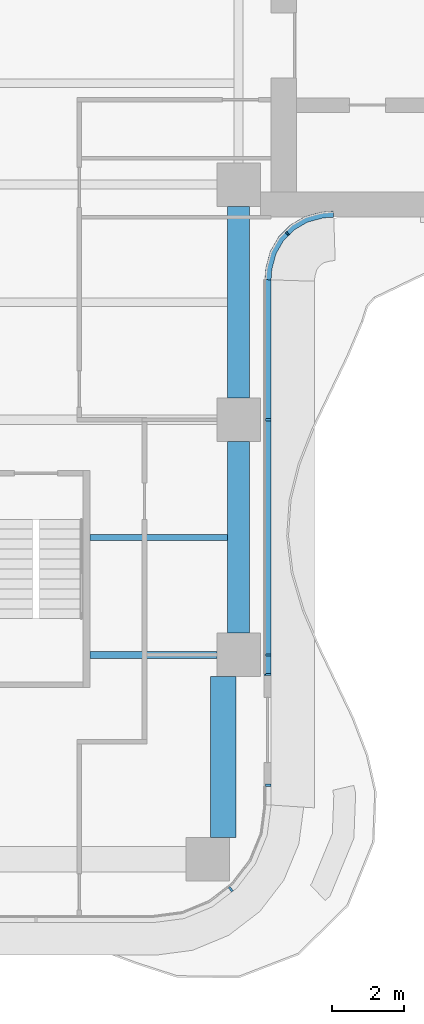
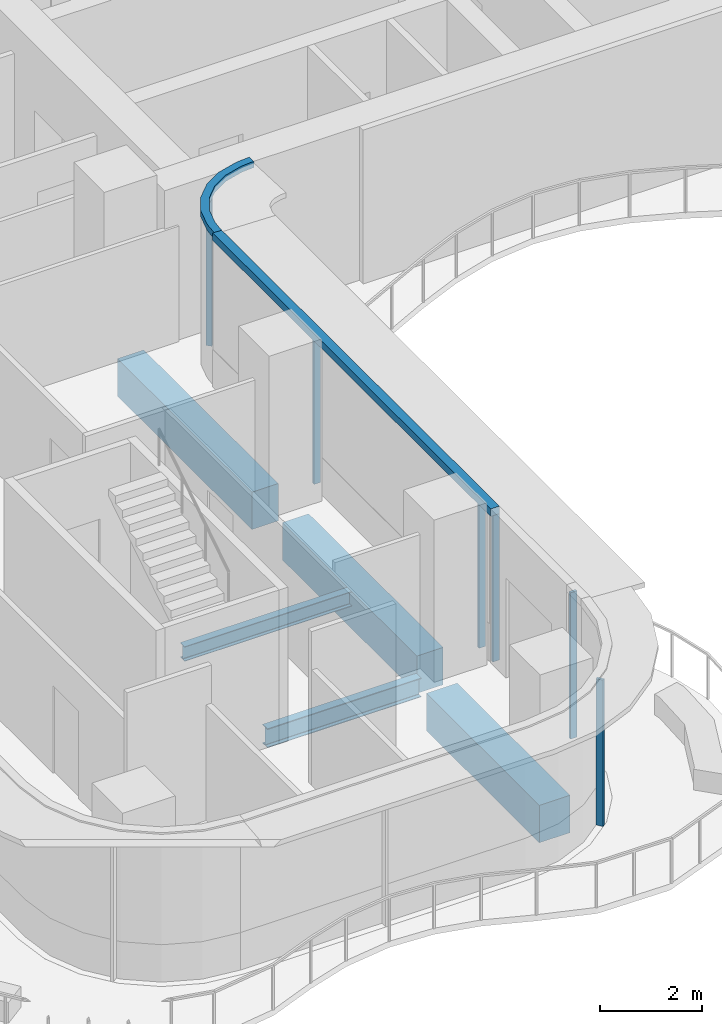
# One storey, part 5 of 18: 8 members, 5 beams, 4 elements without a shape of their own.
"""IFC4 building model written with IfcOpenShell, lengths in metres."""

from ifc_helpers import new_model, si_unit, direction, frame, origin, origin_2d, place, context, subcontext, project, spatial, polyline, rectangle, i_section, outline, extrude, source, transform, mapped, material, layer, layer_set, material_profile, profile_set, type_object, element, aggregate, save


model = new_model("IFC4")

# Units and contexts
model_context = context("Model", 3, precision=1e-05, world=origin(), true_north=direction((0.0, 1.0)))
body_context = subcontext(model_context, "Body", "Model", "MODEL_VIEW")
ifc_project = project(units=[si_unit("LENGTHUNIT", "METRE"), si_unit("AREAUNIT", "SQUARE_METRE"), si_unit("VOLUMEUNIT", "CUBIC_METRE"), si_unit("PLANEANGLEUNIT", "RADIAN"), si_unit("MASSUNIT", "GRAM", prefix="KILO")], contexts=[model_context])

# Site, building, storey
site_placement = place(None, origin())
site = spatial("IfcSite", under=ifc_project, at=site_placement, CompositionType="ELEMENT")
building_placement = place(site_placement, origin())
building = spatial("IfcBuilding", under=site, at=building_placement, Name="Trellis Farm Tower", CompositionType="ELEMENT")
storey_placement = place(building_placement, frame((0.0, 0.0, 177.60009765625)))
storey = spatial("IfcBuildingStorey", under=building, at=storey_placement, Name="L38", CompositionType="ELEMENT", Elevation=177.60009765625)

# Beams
ifc_material_1 = material(Name="Steel S355", Category="steel")
ifc_material_profile_1 = material_profile(ifc_material_1, i_section(OverallWidth=0.1904296875, OverallDepth=0.45703125, WebThickness=0.009033203125, FlangeThickness=0.014404296875, FilletRadius=0.01025390625, at=origin_2d()), Name="UB 457x191x74")
ifc_profile_set_1 = profile_set([ifc_material_profile_1], Name="Steel S355")
beam_type_1 = type_object("IfcBeamType", Name="UB 457x191x74", PredefinedType="BEAM", material=ifc_profile_set_1)
shared_shape_1 = source(origin(), body_context, "Body", "SweptSolid", [
    extrude(i_section(OverallWidth=0.1904296875, OverallDepth=0.45703125, WebThickness=0.009033203125, FlangeThickness=0.014404296875, FilletRadius=0.01025390625, at=origin_2d()), origin(), (0.0, 0.0, 1.0), 3.5),
])
beam_1_placement = place(storey_placement, frame((1.5, -18.60009765625, -0.4287109375), z_axis=(1.0, 0.0, 0.0), x_axis=(0.0, 1.0, 0.0)))
element("IfcBeam", 1, at=beam_1_placement, inside=storey, type_object=beam_type_1, Name="Girder", PredefinedType="BEAM", context=body_context, shape_type="MappedRepresentation", body=[
    mapped(shared_shape_1, transform((0.0, 0.0, 0.0))),
])
ifc_material_2 = material(Name="Concrete C60/75", Category="concrete")
ifc_material_profile_2 = material_profile(ifc_material_2, rectangle(XDim=0.60009765625, YDim=0.89990234375, at=origin_2d()), Name="RC spandrel beam 600x900 C60/75")
ifc_profile_set_2 = profile_set([ifc_material_profile_2], Name="Concrete C60/75")
beam_type_2 = type_object("IfcBeamType", Name="RC spandrel beam 600x900 C60/75", PredefinedType="SPANDREL", material=ifc_profile_set_2)
shared_shape_2 = source(origin(), body_context, "Body", "SweptSolid", [
    extrude(rectangle(XDim=0.60009765625, YDim=0.89990234375, at=origin_2d()), origin(), (0.0, 0.0, 1.0), 5.300048828125),
])
for number, where, z_axis, x_axis, name in (
    (2, (5.60009765625, -18.0, -0.650146484375), (0.0, 1.0, 0.0), (-1.0, 0.0, 0.0), "Girder"),
    (3, (5.60009765625, -11.5, -0.650146484375), (0.0, 1.0, 0.0), (-1.0, 0.0, 0.0), "Girder"),
):
    element("IfcBeam", number, at=place(storey_placement, frame(where, z_axis=z_axis, x_axis=x_axis)), inside=storey, type_object=beam_type_2, Name=name, PredefinedType="SPANDREL", context=body_context, shape_type="MappedRepresentation", body=[
        mapped(shared_shape_2, transform((0.0, 0.0, 0.0))),
    ])
ifc_material_profile_3 = material_profile(ifc_material_2, rectangle(XDim=0.699951171875, YDim=0.89990234375, at=origin_2d()), Name="RC spandrel beam 700x900 C60/75")
ifc_profile_set_3 = profile_set([ifc_material_profile_3], Name="Concrete C60/75")
beam_type_3 = type_object("IfcBeamType", Name="RC spandrel beam 700x900 C60/75", PredefinedType="SPANDREL", material=ifc_profile_set_3)
shared_shape_3 = source(origin(), body_context, "Body", "SweptSolid", [
    extrude(rectangle(XDim=0.699951171875, YDim=0.89990234375, at=origin_2d()), origin(), (0.0, 0.0, 1.0), 4.449951171875),
])
beam_2_placement = place(storey_placement, frame((5.175048828125, -23.64990234375, -0.650146484375), z_axis=(0.0, 1.0, 0.0), x_axis=(-1.0, 0.0, 0.0)))
element("IfcBeam", 4, at=beam_2_placement, inside=storey, type_object=beam_type_3, Name="Girder", PredefinedType="SPANDREL", context=body_context, shape_type="MappedRepresentation", body=[
    mapped(shared_shape_3, transform((0.0, 0.0, 0.0))),
])
ifc_material_profile_4 = material_profile(ifc_material_1, i_section(OverallWidth=0.17138671875, OverallDepth=0.35498046875, WebThickness=0.00732421875, FlangeThickness=0.011474609375, FilletRadius=0.01025390625, at=origin_2d()), Name="UB 356x171x51")
ifc_profile_set_4 = profile_set([ifc_material_profile_4], Name="Steel S355")
beam_type_4 = type_object("IfcBeamType", Name="UB 356x171x51 joist", PredefinedType="JOIST", material=ifc_profile_set_4)
shared_shape_4 = source(origin(), body_context, "Body", "SweptSolid", [
    extrude(i_section(OverallWidth=0.17138671875, OverallDepth=0.35498046875, WebThickness=0.00732421875, FlangeThickness=0.011474609375, FilletRadius=0.01025390625, at=origin_2d()), origin(), (0.0, 0.0, 1.0), 3.800048828125),
])
beam_3_placement = place(storey_placement, frame((1.5, -15.35009765625, -0.377685546875), z_axis=(1.0, 0.0, 0.0), x_axis=(0.0, 1.0, 0.0)))
element("IfcBeam", 5, at=beam_3_placement, inside=storey, type_object=beam_type_4, Name="Floor beam", PredefinedType="JOIST", context=body_context, shape_type="MappedRepresentation", body=[
    mapped(shared_shape_4, transform((0.0, 0.0, 0.0))),
])

# Curtain wall, member
ifc_material_3 = material(Name="Aluminium and glass curtain wall", Category="aluminium")
ifc_layer_1 = layer(ifc_material_3, 0.18994140625)
ifc_layer_set_1 = layer_set([ifc_layer_1], Name="RIBBON CURTAIN WALL CW1")
curtain_wall_type_1 = type_object("IfcCurtainWallType", Name="RIBBON CURTAIN WALL CW1", PredefinedType="NOTDEFINED", material=ifc_layer_set_1)
placement = place(storey_placement, origin())
curtain_wall_1 = element("IfcCurtainWall", 6, at=placement, inside=storey, type_object=curtain_wall_type_1, Name="CW1 003", PredefinedType="NOTDEFINED")
ifc_material_4 = material(Name="Aluminium extrusion 6063-T6", Category="aluminium")
ifc_material_profile_5 = material_profile(ifc_material_4, rectangle(XDim=0.06005859375, YDim=0.14990234375, at=origin_2d()), Name="MULLION 60x150")
ifc_profile_set_5 = profile_set([ifc_material_profile_5], Name="Aluminium extrusion 6063-T6")
member_type_1 = type_object("IfcMemberType", Name="CW1 MULLION 60x150", PredefinedType="MULLION", material=ifc_profile_set_5)
shared_shape_5 = source(origin(), body_context, "Body", "SweptSolid", [
    extrude(rectangle(XDim=0.06005859375, YDim=0.14990234375, at=origin_2d()), origin(), (0.0, 0.0, 1.0), 3.52001953125),
])
member_1_placement = place(storey_placement, frame((5.385498046875, -25.078369140625, 0.0), z_axis=(0.0, 0.0, 1.0), x_axis=(0.793353340291, 0.608761429009, 0.0)))
member_1 = element("IfcMember", 7, at=member_1_placement, type_object=member_type_1, Name="MU1 003-02", PredefinedType="MULLION", context=body_context, shape_type="MappedRepresentation", body=[
    mapped(shared_shape_5, transform((0.0, 0.0, 0.0))),
])
aggregate(curtain_wall_1, [member_1])

curtain_wall_2 = element("IfcCurtainWall", 8, at=placement, inside=storey, type_object=curtain_wall_type_1, Name="CW1 004", PredefinedType="NOTDEFINED")
member_2_placement = place(storey_placement, frame((6.425048828125, -22.205078125, 0.0), z_axis=(0.0, 0.0, 1.0), x_axis=(0.0, 1.0, 0.0)))
member_2 = element("IfcMember", 9, at=member_2_placement, type_object=member_type_1, Name="MU1 004-01", PredefinedType="MULLION", context=body_context, shape_type="MappedRepresentation", body=[
    mapped(shared_shape_5, transform((0.0, 0.0, 0.0))),
])
aggregate(curtain_wall_2, [member_2])

# Curtain wall, members
curtain_wall_3 = element("IfcCurtainWall", 10, at=placement, inside=storey, type_object=curtain_wall_type_1, Name="CW1 005", PredefinedType="NOTDEFINED")
member_3_placement = place(storey_placement, frame((6.425048828125, -19.14501953125, 0.0), z_axis=(0.0, 0.0, 1.0), x_axis=(0.0, 1.0, 0.0)))
member_3 = element("IfcMember", 11, at=member_3_placement, type_object=member_type_1, Name="MU1 005-01", PredefinedType="MULLION", context=body_context, shape_type="MappedRepresentation", body=[
    mapped(shared_shape_5, transform((0.0, 0.0, 0.0))),
])
member_4_placement = place(storey_placement, frame((6.425048828125, -18.60009765625, 0.0), z_axis=(0.0, 0.0, 1.0), x_axis=(0.0, 1.0, 0.0)))
member_4 = element("IfcMember", 12, at=member_4_placement, type_object=member_type_1, Name="MU1 005-02", PredefinedType="MULLION", context=body_context, shape_type="MappedRepresentation", body=[
    mapped(shared_shape_5, transform((0.0, 0.0, 0.0))),
])
member_5_placement = place(storey_placement, frame((6.425048828125, -12.10009765625, 0.0), z_axis=(0.0, 0.0, 1.0), x_axis=(0.0, 1.0, 0.0)))
member_5 = element("IfcMember", 13, at=member_5_placement, type_object=member_type_1, Name="MU1 005-03", PredefinedType="MULLION", context=body_context, shape_type="MappedRepresentation", body=[
    mapped(shared_shape_5, transform((0.0, 0.0, 0.0))),
])
ifc_layer_2 = layer(ifc_material_4, 0.199951171875)
ifc_layer_set_2 = layer_set([ifc_layer_2], Name="Aluminium extrusion 6063-T6")
member_type_2 = type_object("IfcMemberType", Name="CW1 TRANSOM 200x180", PredefinedType="USERDEFINED", material=ifc_layer_set_2)
shared_shape_6 = source(origin(), body_context, "Body", "SweptSolid", [
    extrude(outline(polyline([(6.5, -19.175048828125), (6.5, -8.2314453125), (6.300048828125, -8.224853515625), (6.300048828125, -19.175048828125), (6.5, -19.175048828125)])), origin(), (0.0, 0.0, 1.0), 0.179931640625),
])
member_6_placement = place(storey_placement, frame((0.0, 0.0, 3.52001953125)))
member_6 = element("IfcMember", 14, at=member_6_placement, type_object=member_type_2, Name="TR1 005", ObjectType="TRANSOM", PredefinedType="USERDEFINED", context=body_context, shape_type="MappedRepresentation", body=[
    mapped(shared_shape_6, transform((0.0, 0.0, 0.0))),
])
aggregate(curtain_wall_3, [member_3, member_4, member_5, member_6])

ifc_layer_3 = layer(ifc_material_3, 0.166015625)
ifc_layer_set_3 = layer_set([ifc_layer_3], Name="WINTER GARDEN CURTAIN WALL CW3")
curtain_wall_type_2 = type_object("IfcCurtainWallType", Name="WINTER GARDEN CURTAIN WALL CW3", PredefinedType="NOTDEFINED", material=ifc_layer_set_3)
curtain_wall_4 = element("IfcCurtainWall", 15, at=placement, inside=storey, type_object=curtain_wall_type_2, Name="CW3 002", PredefinedType="NOTDEFINED")
ifc_material_profile_6 = material_profile(ifc_material_4, rectangle(XDim=0.050048828125, YDim=0.1201171875, at=origin_2d()), Name="MULLION 50x120")
ifc_profile_set_6 = profile_set([ifc_material_profile_6], Name="Aluminium extrusion 6063-T6")
member_type_3 = type_object("IfcMemberType", Name="CW3 MULLION 50x120", PredefinedType="MULLION", material=ifc_profile_set_6)
shared_shape_7 = source(origin(), body_context, "Body", "SweptSolid", [
    extrude(rectangle(XDim=0.050048828125, YDim=0.1201171875, at=origin_2d()), origin(), (0.0, 0.0, 1.0), 3.5498046875),
])
member_7_placement = place(storey_placement, frame((6.953125, -6.953125, 0.0), z_axis=(0.0, 0.0, 1.0), x_axis=(0.707106781187, 0.707106781187, 0.0)))
member_7 = element("IfcMember", 16, at=member_7_placement, type_object=member_type_3, Name="MU3 002-01", PredefinedType="MULLION", context=body_context, shape_type="MappedRepresentation", body=[
    mapped(shared_shape_7, transform((0.0, 0.0, 0.0))),
])
ifc_layer_4 = layer(ifc_material_4, 0.169921875)
ifc_layer_set_4 = layer_set([ifc_layer_4], Name="Aluminium extrusion 6063-T6")
member_type_4 = type_object("IfcMemberType", Name="CW3 TRANSOM 170x150", PredefinedType="USERDEFINED", material=ifc_layer_set_4)
shared_shape_8 = source(origin(), body_context, "Body", "SweptSolid", [
    extrude(outline(polyline([(6.5, -8.2314453125), (6.513916015625, -8.01953125), (6.527587890625, -7.91552734375), (6.63671875, -7.508544921875), (6.846923828125, -7.144287109375), (7.144287109375, -6.846923828125), (7.508544921875, -6.63671875), (7.91552734375, -6.527587890625), (8.01953125, -6.513916015625), (8.2314453125, -6.5), (8.225830078125, -6.330078125), (8.0029296875, -6.3447265625), (7.88232421875, -6.360595703125), (7.44287109375, -6.478271484375), (7.0400390625, -6.7109375), (6.7109375, -7.0400390625), (6.478271484375, -7.44287109375), (6.360595703125, -7.88232421875), (6.3447265625, -8.0029296875), (6.330078125, -8.225830078125), (6.5, -8.2314453125)])), origin(), (0.0, 0.0, 1.0), 0.150146484375),
])
member_8_placement = place(storey_placement, frame((0.0, 0.0, 3.5498046875)))
member_8 = element("IfcMember", 17, at=member_8_placement, type_object=member_type_4, Name="TR3 002", ObjectType="TRANSOM", PredefinedType="USERDEFINED", context=body_context, shape_type="MappedRepresentation", body=[
    mapped(shared_shape_8, transform((0.0, 0.0, 0.0))),
])
aggregate(curtain_wall_4, [member_7, member_8])

save(model, "model.ifc")
